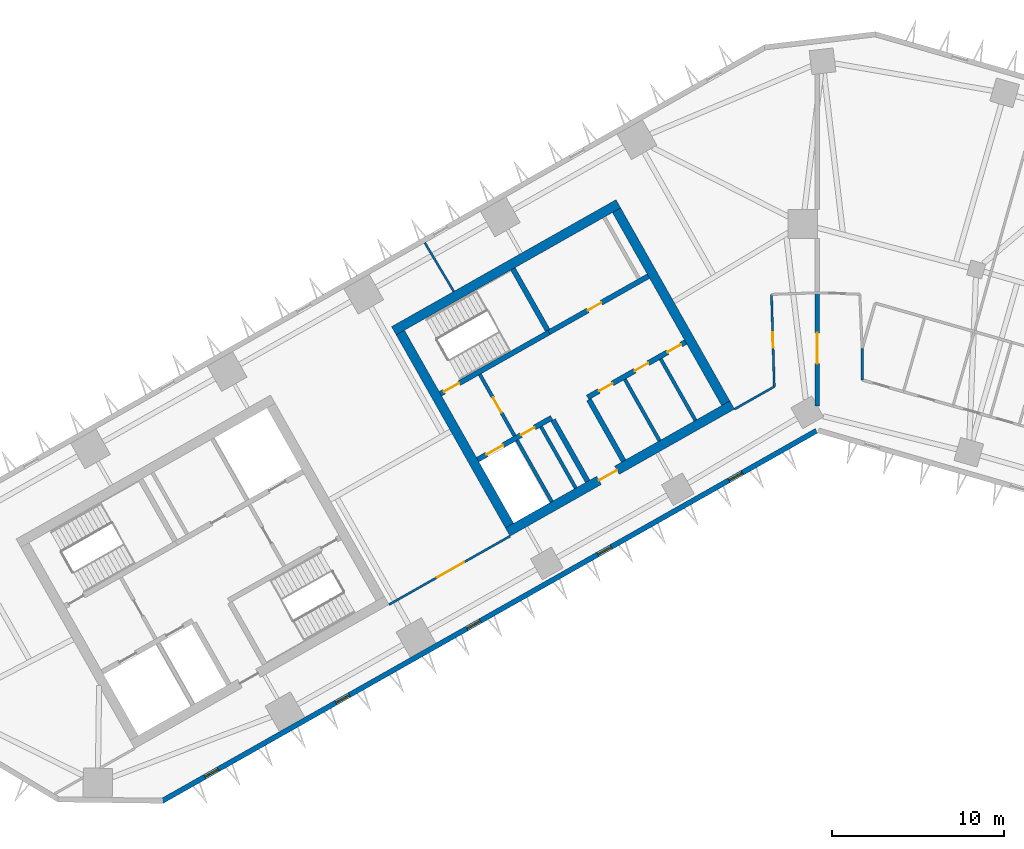
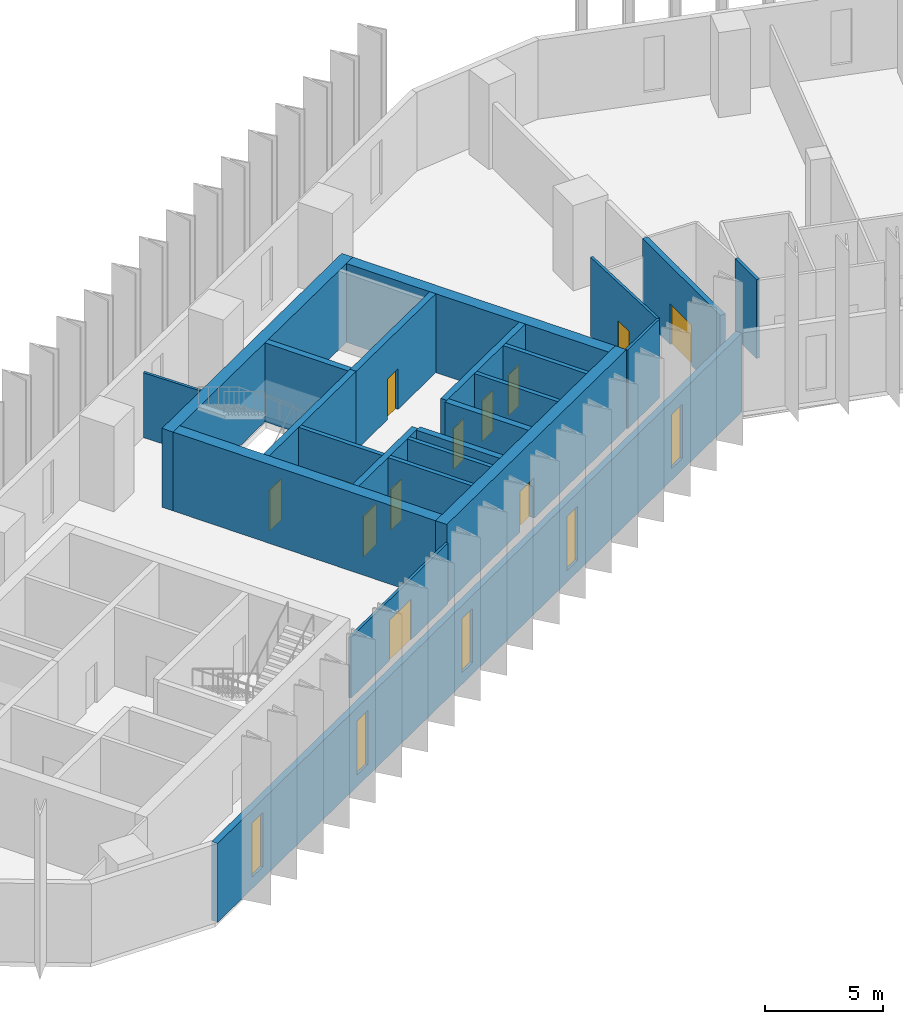
# One storey, part 4 of 11: 23 walls, 12 doors, 5 windows, 17 openings.
"""IFC4 building model written with IfcOpenShell, lengths in metres."""

from ifc_helpers import new_model, si_unit, direction, frame, frame_2d, origin, place, context, subcontext, project, spatial, rectangle, extrude, material, layer, layer_set, type_object, element, fill, save


model = new_model("IFC4")

# Units and contexts
model_context = context("Model", 3, precision=1e-05, world=origin(), true_north=direction((0.0, 1.0)))
body_context = subcontext(model_context, "Body", "Model", "MODEL_VIEW")
ifc_project = project(units=[si_unit("LENGTHUNIT", "METRE"), si_unit("AREAUNIT", "SQUARE_METRE"), si_unit("VOLUMEUNIT", "CUBIC_METRE"), si_unit("PLANEANGLEUNIT", "RADIAN"), si_unit("MASSUNIT", "GRAM", prefix="KILO")], contexts=[model_context])

# Site, building, storey
site_placement = place(None, origin())
site = spatial("IfcSite", under=ifc_project, at=site_placement, CompositionType="ELEMENT")
building_placement = place(site_placement, origin())
building = spatial("IfcBuilding", under=site, at=building_placement, Name="Binnacle Exchange Tower", CompositionType="ELEMENT")
storey_placement = place(building_placement, frame((0.0, 0.0, 141.10009765625)))
storey = spatial("IfcBuildingStorey", under=building, at=storey_placement, Name="L29", CompositionType="ELEMENT", Elevation=141.10009765625)

# Walls
ifc_material_1 = material(Name="Gypsum partition fire rated")
ifc_layer_1 = layer(ifc_material_1, 0.199951171875)
ifc_layer_set_1 = layer_set([ifc_layer_1], Name="Core partition 200")
wall_type_1 = type_object("IfcWallType", Name="Core partition 200", PredefinedType="PARTITIONING", material=ifc_layer_set_1)
wall_1_placement = place(storey_placement, frame((-11.201904296875, 50.96240234375, 0.0), z_axis=(0.0, 0.0, 1.0), x_axis=(0.492428039142, -0.870353161807, 0.0)))
element("IfcWall", 1, at=wall_1_placement, inside=storey, type_object=wall_type_1, Name="Core wall CRWC19", PredefinedType="PARTITIONING", context=body_context, shape_type="SweptSolid", body=[
    extrude(rectangle(XDim=4.10009765625, YDim=0.199951171875, at=frame_2d((2.050048828125, 0.0))), origin(), (0.0, 0.0, 1.0), 4.079833984375),
])
wall_2_placement = place(storey_placement, frame((-9.11279296875, 52.14404296875, 0.0), z_axis=(0.0, 0.0, 1.0), x_axis=(0.492408451753, -0.87036424366, 0.0)))
element("IfcWall", 2, at=wall_2_placement, inside=storey, type_object=wall_type_1, Name="Core wall CRWC22", PredefinedType="PARTITIONING", context=body_context, shape_type="SweptSolid", body=[
    extrude(rectangle(XDim=4.099853515625, YDim=0.199951171875, at=frame_2d((2.0498046875, 0.0))), origin(), (0.0, 0.0, 1.0), 4.079833984375),
])

# Wall, openings, doors
ifc_material_2 = material(Name="Concrete C70/85", Category="concrete")
ifc_layer_2 = layer(ifc_material_2, 0.300048828125)
ifc_layer_set_2 = layer_set([ifc_layer_2], Name="Core wall - front 300")
wall_type_2 = type_object("IfcWallType", Name="Core wall - front 300", PredefinedType="SOLIDWALL", material=ifc_layer_set_2)
wall_3_placement = place(storey_placement, frame((-19.76171875, 46.291748046875, 0.0), z_axis=(0.0, 0.0, 1.0), x_axis=(0.870359758983, 0.49241637863, 0.0)))
wall_3 = element("IfcWall", 3, at=wall_3_placement, inside=storey, type_object=wall_type_2, Name="Core wall CRWC2", PredefinedType="SOLIDWALL", context=body_context, shape_type="SweptSolid", body=[
    extrude(rectangle(XDim=4.9501953125, YDim=0.300048828125, at=frame_2d((2.47509765625, 0.0))), origin(), (0.0, 0.0, 1.0), 4.079833984375),
])
opening_1_placement = place(wall_3_placement, frame((0.60009765625, 0.0, 0.0)))
opening_1 = element("IfcOpeningElement", 4, at=opening_1_placement, cuts=wall_3, Name="Opening LD14", PredefinedType="OPENING", context=body_context, shape_type="SweptSolid", body=[
    extrude(rectangle(XDim=1.10009765625, YDim=2.10009765625, at=frame_2d((0.550048828125, 1.050048828125))), frame((0.0, 0.159912109375, 0.0), z_axis=(0.0, -1.0, 0.0), x_axis=(1.0, 0.0, 0.0)), (0.0, 0.0, 1.0), 0.320068359375),
])
opening_2_placement = place(wall_3_placement, frame((2.89990234375, 0.0, 0.0)))
opening_2 = element("IfcOpeningElement", 5, at=opening_2_placement, cuts=wall_3, Name="Opening DC14", PredefinedType="OPENING", context=body_context, shape_type="SweptSolid", body=[
    extrude(rectangle(XDim=0.89990234375, YDim=2.10009765625, at=frame_2d((0.449951171875, 1.050048828125))), frame((0.0, 0.159912109375, 0.0), z_axis=(0.0, -1.0, 0.0), x_axis=(1.0, 0.0, 0.0)), (0.0, 0.0, 1.0), 0.320068359375),
])
ifc_material_3 = material(Name="Steel door leaf", Category="steel")
door_type_1 = type_object("IfcDoorType", Name="Fire door - lift landing 1100", OperationType="NOTDEFINED", PredefinedType="DOOR", material=ifc_material_3)
door_1_placement = place(opening_1_placement, origin())
door_1 = element("IfcDoor", 6, at=door_1_placement, inside=storey, type_object=door_type_1, Name="Landing door LD14 L29", OperationType="DOUBLE_DOOR_SLIDING", OverallHeight=2.10009765625, OverallWidth=1.10009765625, PredefinedType="DOOR", context=body_context, shape_type="SweptSolid", body=[
    extrude(rectangle(XDim=1.10009765625, YDim=2.10009765625, at=frame_2d((0.550048828125, 1.050048828125))), frame((0.0, 0.02490234375, 0.0), z_axis=(0.0, -1.0, 0.0), x_axis=(1.0, 0.0, 0.0)), (0.0, 0.0, 1.0), 0.050048828125),
])
fill(opening_1, door_1)
door_type_2 = type_object("IfcDoorType", Name="Fire door 900", OperationType="NOTDEFINED", PredefinedType="DOOR", material=ifc_material_3)
door_2_placement = place(opening_2_placement, frame((0.89990234375, 0.0, 0.0), z_axis=(0.0, 0.0, 1.0), x_axis=(-1.0, 0.0, 0.0)))
door_2 = element("IfcDoor", 7, at=door_2_placement, inside=storey, type_object=door_type_2, Name="Core room door ELECTRICAL ROOM", OperationType="SINGLE_SWING_LEFT", OverallHeight=2.10009765625, OverallWidth=0.89990234375, PredefinedType="DOOR", context=body_context, shape_type="SweptSolid", body=[
    extrude(rectangle(XDim=0.89990234375, YDim=2.10009765625, at=frame_2d((0.449951171875, 1.050048828125))), frame((0.0, 0.02490234375, 0.0), z_axis=(0.0, -1.0, 0.0), x_axis=(1.0, 0.0, 0.0)), (0.0, 0.0, 1.0), 0.050048828125),
])
fill(opening_2, door_2)

wall_4_placement = place(storey_placement, frame((-13.364501953125, 49.910888671875, 0.0), z_axis=(0.0, 0.0, 1.0), x_axis=(0.870336435567, 0.492457601144, 0.0)))
wall_4 = element("IfcWall", 8, at=wall_4_placement, inside=storey, type_object=wall_type_2, Name="Core wall CRWC3", PredefinedType="SOLIDWALL", context=body_context, shape_type="SweptSolid", body=[
    extrude(rectangle(XDim=6.550048828125, YDim=0.300048828125, at=frame_2d((3.27490234375, 0.0))), origin(), (0.0, 0.0, 1.0), 4.079833984375),
])
opening_3_placement = place(wall_4_placement, frame((0.75, 0.0, 0.0)))
opening_3 = element("IfcOpeningElement", 9, at=opening_3_placement, cuts=wall_4, Name="Opening DC18", PredefinedType="OPENING", context=body_context, shape_type="SweptSolid", body=[
    extrude(rectangle(XDim=0.89990234375, YDim=2.10009765625, at=frame_2d((0.449951171875, 1.050048828125))), frame((0.0, 0.159912109375, 0.0), z_axis=(0.0, -1.0, 0.0), x_axis=(1.0, 0.0, 0.0)), (0.0, 0.0, 1.0), 0.320068359375),
])
opening_4_placement = place(wall_4_placement, frame((3.14990234375, 0.0, 0.0)))
opening_4 = element("IfcOpeningElement", 10, at=opening_4_placement, cuts=wall_4, Name="Opening DC19", PredefinedType="OPENING", context=body_context, shape_type="SweptSolid", body=[
    extrude(rectangle(XDim=0.89990234375, YDim=2.10009765625, at=frame_2d((0.449951171875, 1.050048828125))), frame((0.0, 0.159912109375, 0.0), z_axis=(0.0, -1.0, 0.0), x_axis=(1.0, 0.0, 0.0)), (0.0, 0.0, 1.0), 0.320068359375),
])
opening_5_placement = place(wall_4_placement, frame((5.35009765625, 0.0, 0.0)))
opening_5 = element("IfcOpeningElement", 11, at=opening_5_placement, cuts=wall_4, Name="Opening DC20", PredefinedType="OPENING", context=body_context, shape_type="SweptSolid", body=[
    extrude(rectangle(XDim=0.89990234375, YDim=2.10009765625, at=frame_2d((0.449951171875, 1.050048828125))), frame((0.0, 0.159912109375, 0.0), z_axis=(0.0, -1.0, 0.0), x_axis=(1.0, 0.0, 0.0)), (0.0, 0.0, 1.0), 0.320068359375),
])
door_3_placement = place(opening_3_placement, frame((0.89990234375, 0.0, 0.0), z_axis=(0.0, 0.0, 1.0), x_axis=(-1.0, 0.0, 0.0)))
door_3 = element("IfcDoor", 12, at=door_3_placement, inside=storey, type_object=door_type_2, Name="Core room door COMMS RISER ROOM", OperationType="SINGLE_SWING_RIGHT", OverallHeight=2.10009765625, OverallWidth=0.89990234375, PredefinedType="DOOR", context=body_context, shape_type="SweptSolid", body=[
    extrude(rectangle(XDim=0.89990234375, YDim=2.10009765625, at=frame_2d((0.449951171875, 1.050048828125))), frame((0.0, 0.02490234375, 0.0), z_axis=(0.0, -1.0, 0.0), x_axis=(1.0, 0.0, 0.0)), (0.0, 0.0, 1.0), 0.050048828125),
])
fill(opening_3, door_3)
door_4_placement = place(opening_4_placement, frame((0.89990234375, 0.0, 0.0), z_axis=(0.0, 0.0, 1.0), x_axis=(-1.0, 0.0, 0.0)))
door_4 = element("IfcDoor", 13, at=door_4_placement, inside=storey, type_object=door_type_2, Name="Core room door CLEANERS STORE", OperationType="SINGLE_SWING_LEFT", OverallHeight=2.10009765625, OverallWidth=0.89990234375, PredefinedType="DOOR", context=body_context, shape_type="SweptSolid", body=[
    extrude(rectangle(XDim=0.89990234375, YDim=2.10009765625, at=frame_2d((0.449951171875, 1.050048828125))), frame((0.0, 0.02490234375, 0.0), z_axis=(0.0, -1.0, 0.0), x_axis=(1.0, 0.0, 0.0)), (0.0, 0.0, 1.0), 0.050048828125),
])
fill(opening_4, door_4)
door_5_placement = place(opening_5_placement, frame((0.89990234375, 0.0, 0.0), z_axis=(0.0, 0.0, 1.0), x_axis=(-1.0, 0.0, 0.0)))
door_5 = element("IfcDoor", 14, at=door_5_placement, inside=storey, type_object=door_type_2, Name="Core room door IT STORE", OperationType="SINGLE_SWING_LEFT", OverallHeight=2.10009765625, OverallWidth=0.89990234375, PredefinedType="DOOR", context=body_context, shape_type="SweptSolid", body=[
    extrude(rectangle(XDim=0.89990234375, YDim=2.10009765625, at=frame_2d((0.449951171875, 1.050048828125))), frame((0.0, 0.02490234375, 0.0), z_axis=(0.0, -1.0, 0.0), x_axis=(1.0, 0.0, 0.0)), (0.0, 0.0, 1.0), 0.050048828125),
])
fill(opening_5, door_5)

# Wall, opening, door
wall_5_placement = place(storey_placement, frame((-15.6181640625, 53.69140625, 0.0), z_axis=(0.0, 0.0, 1.0), x_axis=(0.870367894134, 0.492401999246, 0.0)))
wall_5 = element("IfcWall", 15, at=wall_5_placement, inside=storey, type_object=wall_type_2, Name="Core wall CRWC5", PredefinedType="SOLIDWALL", context=body_context, shape_type="SweptSolid", body=[
    extrude(rectangle(XDim=6.64990234375, YDim=0.300048828125, at=frame_2d((3.324951171875, 0.0))), origin(), (0.0, 0.0, 1.0), 4.079833984375),
])
opening_6_placement = place(wall_5_placement, frame((2.60009765625, 0.0, 0.0)))
opening_6 = element("IfcOpeningElement", 16, at=opening_6_placement, cuts=wall_5, Name="Opening DC10", PredefinedType="OPENING", context=body_context, shape_type="SweptSolid", body=[
    extrude(rectangle(XDim=0.89990234375, YDim=2.10009765625, at=frame_2d((0.449951171875, 1.050048828125))), frame((0.0, 0.159912109375, 0.0), z_axis=(0.0, -1.0, 0.0), x_axis=(1.0, 0.0, 0.0)), (0.0, 0.0, 1.0), 0.320068359375),
])
door_6_placement = place(opening_6_placement, origin())
door_6 = element("IfcDoor", 17, at=door_6_placement, inside=storey, type_object=door_type_2, Name="Core room door SPARES STORE", OperationType="SINGLE_SWING_LEFT", OverallHeight=2.10009765625, OverallWidth=0.89990234375, PredefinedType="DOOR", context=body_context, shape_type="SweptSolid", body=[
    extrude(rectangle(XDim=0.89990234375, YDim=2.10009765625, at=frame_2d((0.449951171875, 1.050048828125))), frame((0.0, 0.02490234375, 0.0), z_axis=(0.0, -1.0, 0.0), x_axis=(1.0, 0.0, 0.0)), (0.0, 0.0, 1.0), 0.050048828125),
])
fill(opening_6, door_6)

# Walls
wall_6_placement = place(storey_placement, frame((-15.37939453125, 48.5986328125, 0.0), z_axis=(0.0, 0.0, 1.0), x_axis=(0.492408451753, -0.87036424366, 0.0)))
element("IfcWall", 18, at=wall_6_placement, inside=storey, type_object=wall_type_2, Name="Core wall CRWC13", PredefinedType="SOLIDWALL", context=body_context, shape_type="SweptSolid", body=[
    extrude(rectangle(XDim=4.099853515625, YDim=0.300048828125, at=frame_2d((2.0498046875, 0.0))), origin(), (0.0, 0.0, 1.0), 4.079833984375),
])
wall_7_placement = place(storey_placement, frame((-13.29052734375, 49.780517578125, 0.0), z_axis=(0.0, 0.0, 1.0), x_axis=(0.492382931784, -0.870378681085, 0.0)))
element("IfcWall", 19, at=wall_7_placement, inside=storey, type_object=wall_type_2, Name="Core wall CRWC15", PredefinedType="SOLIDWALL", context=body_context, shape_type="SweptSolid", body=[
    extrude(rectangle(XDim=4.10009765625, YDim=0.300048828125, at=frame_2d((2.050048828125, 0.0))), origin(), (0.0, 0.0, 1.0), 4.079833984375),
])

# Wall, opening, door
ifc_layer_3 = layer(ifc_material_2, 0.550048828125)
ifc_layer_set_3 = layer_set([ifc_layer_3], Name="Core wall - outer 550")
wall_type_3 = type_object("IfcWallType", Name="Core wall - outer 550", PredefinedType="SOLIDWALL", material=ifc_layer_set_3)
wall_8_placement = place(storey_placement, frame((-18.01220703125, 42.08251953125, 0.0), z_axis=(0.0, 0.0, 1.0), x_axis=(0.870360574057, 0.492414937962, 0.0)))
wall_8 = element("IfcWall", 20, at=wall_8_placement, inside=storey, type_object=wall_type_3, Name="Core wall CRWC1", PredefinedType="SOLIDWALL", context=body_context, shape_type="SweptSolid", body=[
    extrude(rectangle(XDim=15.0, YDim=0.550048828125, at=frame_2d((7.5, 0.0))), origin(), (0.0, 0.0, 1.0), 4.079833984375),
])
opening_7_placement = place(wall_8_placement, frame((6.10009765625, 0.0, 0.0)))
opening_7 = element("IfcOpeningElement", 21, at=opening_7_placement, cuts=wall_8, Name="Opening DC7", PredefinedType="OPENING", context=body_context, shape_type="SweptSolid", body=[
    extrude(rectangle(XDim=1.199951171875, YDim=2.10009765625, at=frame_2d((0.60009765625, 1.050048828125))), frame((0.0, 0.284912109375, 0.0), z_axis=(0.0, -1.0, 0.0), x_axis=(1.0, 0.0, 0.0)), (0.0, 0.0, 1.0), 0.570068359375),
])
door_type_3 = type_object("IfcDoorType", Name="Fire door 1200", OperationType="NOTDEFINED", PredefinedType="DOOR", material=ifc_material_3)
door_7_placement = place(opening_7_placement, frame((1.199951171875, 0.0, 0.0), z_axis=(0.0, 0.0, 1.0), x_axis=(-1.0, 0.0, 0.0)))
door_7 = element("IfcDoor", 22, at=door_7_placement, inside=storey, type_object=door_type_3, Name="Lift lobby entrance door core C", OperationType="SINGLE_SWING_RIGHT", OverallHeight=2.10009765625, OverallWidth=1.199951171875, PredefinedType="DOOR", context=body_context, shape_type="SweptSolid", body=[
    extrude(rectangle(XDim=1.199951171875, YDim=2.10009765625, at=frame_2d((0.60009765625, 1.050048828125))), frame((0.0, 0.02490234375, 0.0), z_axis=(0.0, -1.0, 0.0), x_axis=(1.0, 0.0, 0.0)), (0.0, 0.0, 1.0), 0.050048828125),
])
fill(opening_7, door_7)

# Walls
wall_9_placement = place(storey_placement, frame((-24.63525390625, 53.788818359375, 0.0), z_axis=(0.0, 0.0, 1.0), x_axis=(0.870360574057, 0.492414937962, 0.0)))
element("IfcWall", 23, at=wall_9_placement, inside=storey, type_object=wall_type_3, Name="Core wall CRWC6", PredefinedType="SOLIDWALL", context=body_context, shape_type="SweptSolid", body=[
    extrude(rectangle(XDim=15.0, YDim=0.550048828125, at=frame_2d((7.5, 0.0))), origin(), (0.0, 0.0, 1.0), 4.079833984375),
])
for number, where, z_axis, x_axis, name in (
    (24, (-24.260498046875, 53.684814453125, 0.0), (0.0, 0.0, 1.0), (0.492427022044, -0.870353737259, 0.0), "Core wall CRWC7"),
    (25, (-11.683837890625, 60.80029296875, 0.0), (0.0, 0.0, 1.0), (0.492427022044, -0.870353737259, 0.0), "Core wall CRWC24"),
):
    element("IfcWall", number, at=place(storey_placement, frame(where, z_axis=z_axis, x_axis=x_axis)), inside=storey, type_object=wall_type_3, Name=name, PredefinedType="SOLIDWALL", context=body_context, shape_type="SweptSolid", body=[
        extrude(rectangle(XDim=12.89990234375, YDim=0.550048828125, at=frame_2d((6.449951171875, 0.0))), origin(), (0.0, 0.0, 1.0), 4.079833984375),
    ])

# Wall, opening, door
ifc_layer_4 = layer(ifc_material_2, 0.300048828125)
ifc_layer_set_4 = layer_set([ifc_layer_4], Name="Core wall - stair 300")
wall_type_4 = type_object("IfcWallType", Name="Core wall - stair 300", PredefinedType="SOLIDWALL", material=ifc_layer_set_4)
wall_10_placement = place(storey_placement, frame((-21.92822265625, 50.12109375, 0.0), z_axis=(0.0, 0.0, 1.0), x_axis=(0.870340732628, 0.49245000673, 0.0)))
wall_10 = element("IfcWall", 26, at=wall_10_placement, inside=storey, type_object=wall_type_4, Name="Core wall CRWC4", PredefinedType="SOLIDWALL", context=body_context, shape_type="SweptSolid", body=[
    extrude(rectangle(XDim=7.25, YDim=0.300048828125, at=frame_2d((3.625, 0.0))), origin(), (0.0, 0.0, 1.0), 4.079833984375),
])
opening_8_placement = place(wall_10_placement, frame((0.25, 0.0, 0.0)))
opening_8 = element("IfcOpeningElement", 27, at=opening_8_placement, cuts=wall_10, Name="Opening DC1", PredefinedType="OPENING", context=body_context, shape_type="SweptSolid", body=[
    extrude(rectangle(XDim=1.0, YDim=2.10009765625, at=frame_2d((0.5, 1.050048828125))), frame((0.0, 0.159912109375, 0.0), z_axis=(0.0, -1.0, 0.0), x_axis=(1.0, 0.0, 0.0)), (0.0, 0.0, 1.0), 0.320068359375),
])
door_type_4 = type_object("IfcDoorType", Name="Fire door 1000", OperationType="NOTDEFINED", PredefinedType="DOOR", material=ifc_material_3)
door_8_placement = place(opening_8_placement, origin())
door_8 = element("IfcDoor", 28, at=door_8_placement, inside=storey, type_object=door_type_4, Name="Stair door ST-C1", OperationType="SINGLE_SWING_LEFT", OverallHeight=2.10009765625, OverallWidth=1.0, PredefinedType="DOOR", context=body_context, shape_type="SweptSolid", body=[
    extrude(rectangle(XDim=1.0, YDim=2.10009765625, at=frame_2d((0.5, 1.050048828125))), frame((0.0, 0.02490234375, 0.0), z_axis=(0.0, -1.0, 0.0), x_axis=(1.0, 0.0, 0.0)), (0.0, 0.0, 1.0), 0.050048828125),
])
fill(opening_8, door_8)

# Wall
wall_11_placement = place(storey_placement, frame((-17.7109375, 57.390380859375, 0.0), z_axis=(0.0, 0.0, 1.0), x_axis=(0.492408451753, -0.87036424366, 0.0)))
element("IfcWall", 29, at=wall_11_placement, inside=storey, type_object=wall_type_4, Name="Core wall CRWC14", PredefinedType="SOLIDWALL", context=body_context, shape_type="SweptSolid", body=[
    extrude(rectangle(XDim=4.099853515625, YDim=0.300048828125, at=frame_2d((2.0498046875, 0.0))), origin(), (0.0, 0.0, 1.0), 4.079833984375),
])

# Wall, openings, windows
ifc_material_4 = material(Name="Bronze aluminium cladding", Category="aluminium")
ifc_layer_5 = layer(ifc_material_4, 0.300048828125)
ifc_layer_set_5 = layer_set([ifc_layer_5], Name="External wall - spandrel 300")
wall_type_5 = type_object("IfcWallType", Name="External wall - spandrel 300", PredefinedType="STANDARD", material=ifc_layer_set_5)
wall_12_placement = place(storey_placement, frame((-0.0546875, 47.968994140625, 0.0), z_axis=(0.0, 0.0, 1.0), x_axis=(-0.870355730478, -0.492423499058, 0.0)))
wall_12 = element("IfcWall", 30, at=wall_12_placement, inside=storey, type_object=wall_type_5, Name="External wall EW-F07 L29", PredefinedType="STANDARD", context=body_context, shape_type="SweptSolid", body=[
    extrude(rectangle(XDim=43.750244140625, YDim=0.300048828125, at=frame_2d((21.875, 0.0))), origin(), (0.0, 0.0, 1.0), 4.079833984375),
])
opening_9_placement = place(wall_12_placement, frame((39.976806640625, 0.0, 0.60009765625)))
opening_9 = element("IfcOpeningElement", 31, at=opening_9_placement, cuts=wall_12, Name="Opening WS2", PredefinedType="OPENING", context=body_context, shape_type="SweptSolid", body=[
    extrude(rectangle(XDim=0.89990234375, YDim=2.800048828125, at=frame_2d((0.449951171875, 1.39990234375))), frame((0.0, 0.159912109375, 0.0), z_axis=(0.0, -1.0, 0.0), x_axis=(1.0, 0.0, 0.0)), (0.0, 0.0, 1.0), 0.320068359375),
])
opening_10_placement = place(wall_12_placement, frame((31.222412109375, 0.0, 0.60009765625)))
opening_10 = element("IfcOpeningElement", 32, at=opening_10_placement, cuts=wall_12, Name="Opening WS2", PredefinedType="OPENING", context=body_context, shape_type="SweptSolid", body=[
    extrude(rectangle(XDim=0.89990234375, YDim=2.800048828125, at=frame_2d((0.449951171875, 1.39990234375))), frame((0.0, 0.159912109375, 0.0), z_axis=(0.0, -1.0, 0.0), x_axis=(1.0, 0.0, 0.0)), (0.0, 0.0, 1.0), 0.320068359375),
])
opening_11_placement = place(wall_12_placement, frame((22.4677734375, 0.0, 0.60009765625)))
opening_11 = element("IfcOpeningElement", 33, at=opening_11_placement, cuts=wall_12, Name="Opening WS2", PredefinedType="OPENING", context=body_context, shape_type="SweptSolid", body=[
    extrude(rectangle(XDim=0.89990234375, YDim=2.800048828125, at=frame_2d((0.449951171875, 1.39990234375))), frame((0.0, 0.159912109375, 0.0), z_axis=(0.0, -1.0, 0.0), x_axis=(1.0, 0.0, 0.0)), (0.0, 0.0, 1.0), 0.320068359375),
])
opening_12_placement = place(wall_12_placement, frame((13.713134765625, 0.0, 0.60009765625)))
opening_12 = element("IfcOpeningElement", 34, at=opening_12_placement, cuts=wall_12, Name="Opening WS2", PredefinedType="OPENING", context=body_context, shape_type="SweptSolid", body=[
    extrude(rectangle(XDim=0.89990234375, YDim=2.800048828125, at=frame_2d((0.449951171875, 1.39990234375))), frame((0.0, 0.159912109375, 0.0), z_axis=(0.0, -1.0, 0.0), x_axis=(1.0, 0.0, 0.0)), (0.0, 0.0, 1.0), 0.320068359375),
])
opening_13_placement = place(wall_12_placement, frame((4.958740234375, 0.0, 0.60009765625)))
opening_13 = element("IfcOpeningElement", 35, at=opening_13_placement, cuts=wall_12, Name="Opening WS2", PredefinedType="OPENING", context=body_context, shape_type="SweptSolid", body=[
    extrude(rectangle(XDim=0.89990234375, YDim=2.800048828125, at=frame_2d((0.449951171875, 1.39990234375))), frame((0.0, 0.159912109375, 0.0), z_axis=(0.0, -1.0, 0.0), x_axis=(1.0, 0.0, 0.0)), (0.0, 0.0, 1.0), 0.320068359375),
])
ifc_material_5 = material(Name="Bronze anodised aluminium frame", Category="aluminium")
window_type = type_object("IfcWindowType", Name="WS2 WINDOW 900x2800", PartitioningType="SINGLE_PANEL", PredefinedType="WINDOW", material=ifc_material_5)
window_1_placement = place(opening_9_placement, origin())
window_1 = element("IfcWindow", 36, at=window_1_placement, inside=storey, type_object=window_type, Name="Window WS2 L29", OverallHeight=2.800048828125, OverallWidth=0.89990234375, PartitioningType="SINGLE_PANEL", PredefinedType="WINDOW", context=body_context, shape_type="SweptSolid", body=[
    extrude(rectangle(XDim=0.89990234375, YDim=2.800048828125, at=frame_2d((0.449951171875, 1.39990234375))), frame((0.0, 0.030029296875, 0.0), z_axis=(0.0, -1.0, 0.0), x_axis=(1.0, 0.0, 0.0)), (0.0, 0.0, 1.0), 0.06005859375),
])
fill(opening_9, window_1)
window_2_placement = place(opening_10_placement, origin())
window_2 = element("IfcWindow", 37, at=window_2_placement, inside=storey, type_object=window_type, Name="Window WS2 L29", OverallHeight=2.800048828125, OverallWidth=0.89990234375, PartitioningType="SINGLE_PANEL", PredefinedType="WINDOW", context=body_context, shape_type="SweptSolid", body=[
    extrude(rectangle(XDim=0.89990234375, YDim=2.800048828125, at=frame_2d((0.449951171875, 1.39990234375))), frame((0.0, 0.030029296875, 0.0), z_axis=(0.0, -1.0, 0.0), x_axis=(1.0, 0.0, 0.0)), (0.0, 0.0, 1.0), 0.06005859375),
])
fill(opening_10, window_2)
window_3_placement = place(opening_11_placement, origin())
window_3 = element("IfcWindow", 38, at=window_3_placement, inside=storey, type_object=window_type, Name="Window WS2 L29", OverallHeight=2.800048828125, OverallWidth=0.89990234375, PartitioningType="SINGLE_PANEL", PredefinedType="WINDOW", context=body_context, shape_type="SweptSolid", body=[
    extrude(rectangle(XDim=0.89990234375, YDim=2.800048828125, at=frame_2d((0.449951171875, 1.39990234375))), frame((0.0, 0.030029296875, 0.0), z_axis=(0.0, -1.0, 0.0), x_axis=(1.0, 0.0, 0.0)), (0.0, 0.0, 1.0), 0.06005859375),
])
fill(opening_11, window_3)
window_4_placement = place(opening_12_placement, origin())
window_4 = element("IfcWindow", 39, at=window_4_placement, inside=storey, type_object=window_type, Name="Window WS2 L29", OverallHeight=2.800048828125, OverallWidth=0.89990234375, PartitioningType="SINGLE_PANEL", PredefinedType="WINDOW", context=body_context, shape_type="SweptSolid", body=[
    extrude(rectangle(XDim=0.89990234375, YDim=2.800048828125, at=frame_2d((0.449951171875, 1.39990234375))), frame((0.0, 0.030029296875, 0.0), z_axis=(0.0, -1.0, 0.0), x_axis=(1.0, 0.0, 0.0)), (0.0, 0.0, 1.0), 0.06005859375),
])
fill(opening_12, window_4)
window_5_placement = place(opening_13_placement, origin())
window_5 = element("IfcWindow", 40, at=window_5_placement, inside=storey, type_object=window_type, Name="Window WS2 L29", OverallHeight=2.800048828125, OverallWidth=0.89990234375, PartitioningType="SINGLE_PANEL", PredefinedType="WINDOW", context=body_context, shape_type="SweptSolid", body=[
    extrude(rectangle(XDim=0.89990234375, YDim=2.800048828125, at=frame_2d((0.449951171875, 1.39990234375))), frame((0.0, 0.030029296875, 0.0), z_axis=(0.0, -1.0, 0.0), x_axis=(1.0, 0.0, 0.0)), (0.0, 0.0, 1.0), 0.06005859375),
])
fill(opening_13, window_5)

# Wall, opening, door
ifc_material_6 = material(Name="Concrete fire wall C30/37", Category="concrete")
ifc_layer_6 = layer(ifc_material_6, 0.25)
ifc_layer_set_6 = layer_set([ifc_layer_6], Name="Fire wall - compartment 250")
wall_type_6 = type_object("IfcWallType", Name="Fire wall - compartment 250", PredefinedType="PARTITIONING", material=ifc_layer_set_6)
wall_13_placement = place(storey_placement, frame((0.0, 49.422119140625, 0.0), z_axis=(0.0, 0.0, 1.0), x_axis=(0.0, 1.0, 0.0)))
wall_13 = element("IfcWall", 41, at=wall_13_placement, inside=storey, type_object=wall_type_6, Name="Fire Wall W08", PredefinedType="PARTITIONING", context=body_context, shape_type="SweptSolid", body=[
    extrude(rectangle(XDim=6.577880859375, YDim=0.25, at=frame_2d((3.2890625, 0.0))), origin(), (0.0, 0.0, 1.0), 4.079833984375),
])
opening_14_placement = place(wall_13_placement, frame((2.449951171875, 0.0, 0.0)))
opening_14 = element("IfcOpeningElement", 42, at=opening_14_placement, cuts=wall_13, Name="Opening DL28-11", PredefinedType="OPENING", context=body_context, shape_type="SweptSolid", body=[
    extrude(rectangle(XDim=1.800048828125, YDim=2.10009765625, at=frame_2d((0.89990234375, 1.050048828125))), frame((0.0, 0.135009765625, 0.0), z_axis=(0.0, -1.0, 0.0), x_axis=(1.0, 0.0, 0.0)), (0.0, 0.0, 1.0), 0.27001953125),
])
door_type_5 = type_object("IfcDoorType", Name="Fire door 1800", OperationType="NOTDEFINED", PredefinedType="DOOR", material=ifc_material_3)
door_9_placement = place(opening_14_placement, origin())
door_9 = element("IfcDoor", 43, at=door_9_placement, inside=storey, type_object=door_type_5, Name="Door DL28-11", OperationType="DOUBLE_DOOR_SINGLE_SWING", OverallHeight=2.10009765625, OverallWidth=1.800048828125, PredefinedType="DOOR", context=body_context, shape_type="SweptSolid", body=[
    extrude(rectangle(XDim=1.800048828125, YDim=2.10009765625, at=frame_2d((0.89990234375, 1.050048828125))), frame((0.0, 0.02490234375, 0.0), z_axis=(0.0, -1.0, 0.0), x_axis=(1.0, 0.0, 0.0)), (0.0, 0.0, 1.0), 0.050048828125),
])
fill(opening_14, door_9)

ifc_material_7 = material(Name="Masonry block wall", Category="masonry")
ifc_layer_7 = layer(ifc_material_7, 0.199951171875)
ifc_layer_set_7 = layer_set([ifc_layer_7], Name="Fire wall - vestibule 200")
wall_type_7 = type_object("IfcWallType", Name="Fire wall - vestibule 200", PredefinedType="PARTITIONING", material=ifc_layer_set_7)
wall_14_placement = place(storey_placement, frame((-19.635009765625, 51.246337890625, 0.0), z_axis=(0.0, 0.0, 1.0), x_axis=(0.492408451753, -0.87036424366, 0.0)))
wall_14 = element("IfcWall", 44, at=wall_14_placement, inside=storey, type_object=wall_type_7, Name="Core wall CRWC10", PredefinedType="PARTITIONING", context=body_context, shape_type="SweptSolid", body=[
    extrude(rectangle(XDim=4.099853515625, YDim=0.199951171875, at=frame_2d((2.0498046875, 0.0))), origin(), (0.0, 0.0, 1.0), 4.079833984375),
])
opening_15_placement = place(wall_14_placement, frame((1.550048828125, 0.0, 0.0)))
opening_15 = element("IfcOpeningElement", 45, at=opening_15_placement, cuts=wall_14, Name="Opening DC3", PredefinedType="OPENING", context=body_context, shape_type="SweptSolid", body=[
    extrude(rectangle(XDim=1.0, YDim=2.10009765625, at=frame_2d((0.5, 1.050048828125))), frame((0.0, 0.10986328125, 0.0), z_axis=(0.0, -1.0, 0.0), x_axis=(1.0, 0.0, 0.0)), (0.0, 0.0, 1.0), 0.219970703125),
])
door_10_placement = place(opening_15_placement, frame((1.0, 0.0, 0.0), z_axis=(0.0, 0.0, 1.0), x_axis=(-1.0, 0.0, 0.0)))
door_10 = element("IfcDoor", 46, at=door_10_placement, inside=storey, type_object=door_type_4, Name="Vestibule door VEST-W", OperationType="SINGLE_SWING_RIGHT", OverallHeight=2.10009765625, OverallWidth=1.0, PredefinedType="DOOR", context=body_context, shape_type="SweptSolid", body=[
    extrude(rectangle(XDim=1.0, YDim=2.10009765625, at=frame_2d((0.5, 1.050048828125))), frame((0.0, 0.02490234375, 0.0), z_axis=(0.0, -1.0, 0.0), x_axis=(1.0, 0.0, 0.0)), (0.0, 0.0, 1.0), 0.050048828125),
])
fill(opening_15, door_10)

# Wall
ifc_layer_8 = layer(ifc_material_1, 0.14990234375)
ifc_layer_set_8 = layer_set([ifc_layer_8], Name="Fire-rated partition 150")
wall_type_8 = type_object("IfcWallType", Name="Fire-rated partition 150", PredefinedType="PARTITIONING", material=ifc_layer_set_8)
wall_15_placement = place(storey_placement, frame((2.60107421875, 50.931884765625, 0.0), z_axis=(0.0, 0.0, 1.0), x_axis=(0.001073104681, 0.999999424223, 0.0)))
element("IfcWall", 47, at=wall_15_placement, inside=storey, type_object=wall_type_8, Name="Partition W13", PredefinedType="PARTITIONING", context=body_context, shape_type="SweptSolid", body=[
    extrude(rectangle(XDim=1.820068359375, YDim=0.14990234375, at=frame_2d((0.91015625, 0.0))), origin(), (0.0, 0.0, 1.0), 4.079833984375),
])

# Wall, opening, door
ifc_material_8 = material(Name="Gypsum partition")
ifc_layer_9 = layer(ifc_material_8, 0.125)
ifc_layer_set_9 = layer_set([ifc_layer_9], Name="Partition 125")
wall_type_9 = type_object("IfcWallType", Name="Partition 125", PredefinedType="PARTITIONING", material=ifc_layer_set_9)
wall_16_placement = place(storey_placement, frame((-24.9189453125, 37.85888671875, 0.0), z_axis=(0.0, 0.0, 1.0), x_axis=(0.870357635969, 0.492420131098, 0.0)))
wall_16 = element("IfcWall", 48, at=wall_16_placement, inside=storey, type_object=wall_type_9, Name="Partition W03", PredefinedType="PARTITIONING", context=body_context, shape_type="SweptSolid", body=[
    extrude(rectangle(XDim=8.0908203125, YDim=0.125, at=frame_2d((4.04541015625, 0.0))), origin(), (0.0, 0.0, 1.0), 3.14794921875),
])
opening_16_placement = place(wall_16_placement, frame((3.199951171875, 0.0, 0.0)))
opening_16 = element("IfcOpeningElement", 49, at=opening_16_placement, cuts=wall_16, Name="Opening DL28-01", PredefinedType="OPENING", context=body_context, shape_type="SweptSolid", body=[
    extrude(rectangle(XDim=1.800048828125, YDim=2.10009765625, at=frame_2d((0.89990234375, 1.050048828125))), frame((0.0, 0.072509765625, 0.0), z_axis=(0.0, -1.0, 0.0), x_axis=(1.0, 0.0, 0.0)), (0.0, 0.0, 1.0), 0.14501953125),
])
ifc_material_9 = material(Name="Timber door leaf", Category="wood")
door_type_6 = type_object("IfcDoorType", Name="Double door 1800", OperationType="NOTDEFINED", PredefinedType="DOOR", material=ifc_material_9)
door_11_placement = place(opening_16_placement, origin())
door_11 = element("IfcDoor", 50, at=door_11_placement, inside=storey, type_object=door_type_6, Name="Door DL28-01", OperationType="DOUBLE_DOOR_SINGLE_SWING", OverallHeight=2.10009765625, OverallWidth=1.800048828125, PredefinedType="DOOR", context=body_context, shape_type="SweptSolid", body=[
    extrude(rectangle(XDim=1.800048828125, YDim=2.10009765625, at=frame_2d((0.89990234375, 1.050048828125))), frame((0.0, 0.02490234375, 0.0), z_axis=(0.0, -1.0, 0.0), x_axis=(1.0, 0.0, 0.0)), (0.0, 0.0, 1.0), 0.050048828125),
])
fill(opening_16, door_11)

# Walls
wall_17_placement = place(storey_placement, frame((-22.8349609375, 58.907958984375, 0.0), z_axis=(0.0, 0.0, 1.0), x_axis=(0.511113859879, -0.859513014584, 0.0)))
element("IfcWall", 51, at=wall_17_placement, inside=storey, type_object=wall_type_9, Name="Partition W04", PredefinedType="PARTITIONING", context=body_context, shape_type="SweptSolid", body=[
    extrude(rectangle(XDim=3.294921875, YDim=0.125, at=frame_2d((1.6474609375, 0.0))), origin(), (0.0, 0.0, 1.0), 3.35986328125),
])
wall_18_placement = place(storey_placement, frame((-4.821044921875, 49.22998046875, 0.0), z_axis=(0.0, 0.0, 1.0), x_axis=(0.870371217631, 0.492396124598, 0.0)))
element("IfcWall", 52, at=wall_18_placement, inside=storey, type_object=wall_type_9, Name="Partition W05", PredefinedType="PARTITIONING", context=body_context, shape_type="SweptSolid", body=[
    extrude(rectangle(XDim=2.65869140625, YDim=0.125, at=frame_2d((1.329345703125, 0.0))), origin(), (0.0, 0.0, 1.0), 4.079833984375),
])

# Wall, opening, door
wall_19_placement = place(storey_placement, frame((-2.669921875, 55.904052734375, 0.0), z_axis=(0.0, 0.0, 1.0), x_axis=(0.030338701418, -0.999539675649, 0.0)))
wall_19 = element("IfcWall", 53, at=wall_19_placement, inside=storey, type_object=wall_type_9, Name="Partition W06", PredefinedType="PARTITIONING", context=body_context, shape_type="SweptSolid", body=[
    extrude(rectangle(XDim=5.367431640625, YDim=0.125, at=frame_2d((2.68359375, 0.0))), origin(), (0.0, 0.0, 1.0), 4.079833984375),
])
opening_17_placement = place(wall_19_placement, frame((2.199951171875, 0.0, 0.0)))
opening_17 = element("IfcOpeningElement", 54, at=opening_17_placement, cuts=wall_19, Name="Opening DL28-02", PredefinedType="OPENING", context=body_context, shape_type="SweptSolid", body=[
    extrude(rectangle(XDim=0.89990234375, YDim=2.10009765625, at=frame_2d((0.449951171875, 1.050048828125))), frame((0.0, 0.072509765625, 0.0), z_axis=(0.0, -1.0, 0.0), x_axis=(1.0, 0.0, 0.0)), (0.0, 0.0, 1.0), 0.14501953125),
])
door_type_7 = type_object("IfcDoorType", Name="Door 900", OperationType="NOTDEFINED", PredefinedType="DOOR", material=ifc_material_9)
door_12_placement = place(opening_17_placement, frame((0.89990234375, 0.0, 0.0), z_axis=(0.0, 0.0, 1.0), x_axis=(-1.0, 0.0, 0.0)))
door_12 = element("IfcDoor", 55, at=door_12_placement, inside=storey, type_object=door_type_7, Name="Door DL28-02", OperationType="SINGLE_SWING_RIGHT", OverallHeight=2.10009765625, OverallWidth=0.89990234375, PredefinedType="DOOR", context=body_context, shape_type="SweptSolid", body=[
    extrude(rectangle(XDim=0.89990234375, YDim=2.10009765625, at=frame_2d((0.449951171875, 1.050048828125))), frame((0.0, 0.02490234375, 0.0), z_axis=(0.0, -1.0, 0.0), x_axis=(1.0, 0.0, 0.0)), (0.0, 0.0, 1.0), 0.050048828125),
])
fill(opening_17, door_12)

# Walls
ifc_layer_10 = layer(ifc_material_7, 0.199951171875)
ifc_layer_set_10 = layer_set([ifc_layer_10], Name="Riser wall 200")
wall_type_10 = type_object("IfcWallType", Name="Riser wall 200", PredefinedType="SOLIDWALL", material=ifc_layer_set_10)
wall_20_placement = place(storey_placement, frame((-16.07568359375, 48.20458984375, 0.0), z_axis=(0.0, 0.0, 1.0), x_axis=(0.492408451753, -0.87036424366, 0.0)))
element("IfcWall", 56, at=wall_20_placement, inside=storey, type_object=wall_type_10, Name="Core wall CRWC12", PredefinedType="SOLIDWALL", context=body_context, shape_type="SweptSolid", body=[
    extrude(rectangle(XDim=4.099853515625, YDim=0.199951171875, at=frame_2d((2.0498046875, 0.0))), origin(), (0.0, 0.0, 1.0), 4.079833984375),
])
ifc_layer_11 = layer(ifc_material_7, 0.199951171875)
ifc_layer_set_11 = layer_set([ifc_layer_11], Name="Shaft wall 200")
wall_type_11 = type_object("IfcWallType", Name="Shaft wall 200", PredefinedType="SOLIDWALL", material=ifc_layer_set_11)
wall_21_placement = place(storey_placement, frame((-17.468505859375, 47.416748046875, 0.0), z_axis=(0.0, 0.0, 1.0), x_axis=(0.492453559952, -0.87033872216, 0.0)))
element("IfcWall", 57, at=wall_21_placement, inside=storey, type_object=wall_type_11, Name="Core wall CRWC9", PredefinedType="SOLIDWALL", context=body_context, shape_type="SweptSolid", body=[
    extrude(rectangle(XDim=4.099853515625, YDim=0.199951171875, at=frame_2d((2.0498046875, 0.0))), origin(), (0.0, 0.0, 1.0), 4.079833984375),
])

save(model, "model.ifc")
